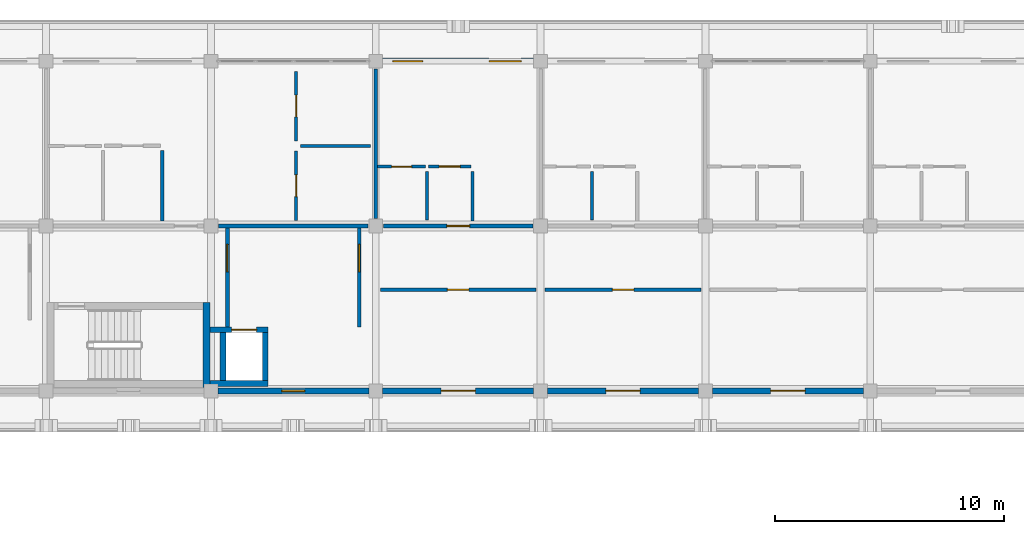
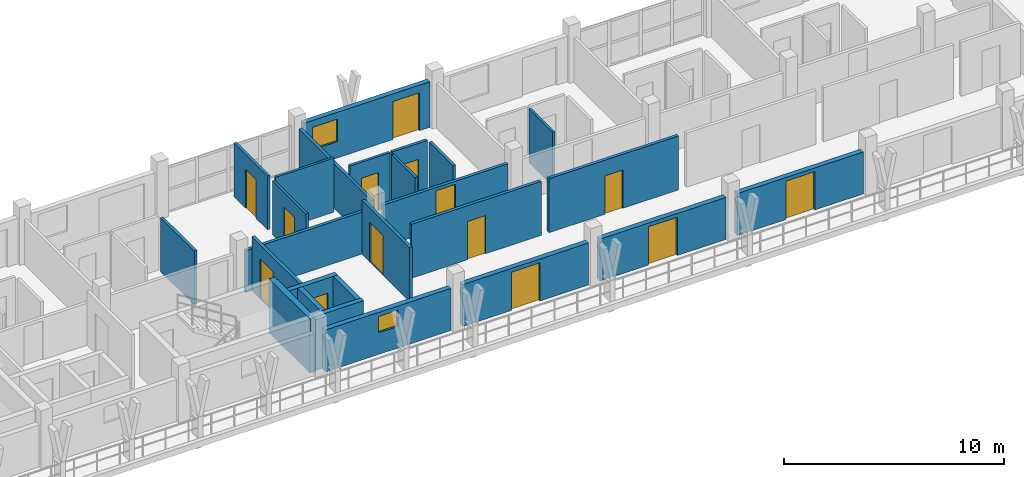
# One storey, part 41 of 67: 26 walls, 14 doors, 2 windows, 16 openings.
"""IFC4 building model written with IfcOpenShell, lengths in metres."""

from ifc_helpers import new_model, si_unit, direction, frame, frame_2d, origin, place, context, subcontext, project, spatial, rectangle, extrude, material, layer, layer_set, type_object, element, fill, save


model = new_model("IFC4")

# Units and contexts
model_context = context("Model", 3, precision=1e-05, world=origin(), true_north=direction((0.0, 1.0)))
body_context = subcontext(model_context, "Body", "Model", "MODEL_VIEW")
ifc_project = project(units=[si_unit("LENGTHUNIT", "METRE"), si_unit("AREAUNIT", "SQUARE_METRE"), si_unit("VOLUMEUNIT", "CUBIC_METRE"), si_unit("PLANEANGLEUNIT", "RADIAN"), si_unit("MASSUNIT", "GRAM", prefix="KILO")], contexts=[model_context])

# Site, building, storey
site_placement = place(None, origin())
site = spatial("IfcSite", under=ifc_project, at=site_placement, CompositionType="ELEMENT")
building_placement = place(site_placement, origin())
building = spatial("IfcBuilding", under=site, at=building_placement, Name="Suanplinth Sawtooth Commons", CompositionType="ELEMENT")
storey_placement = place(building_placement, frame((0.0, 0.0, 25.10009765625)))
storey = spatial("IfcBuildingStorey", under=building, at=storey_placement, Name="L07", CompositionType="ELEMENT", Elevation=25.10009765625)

# Wall
ifc_material_1 = material(Name="Concrete C40/50", Category="concrete")
ifc_layer_1 = layer(ifc_material_1, 0.300048828125, Name="Standard RC stair and lift core wall 300mm")
ifc_layer_set_1 = layer_set([ifc_layer_1], Name="Concrete C40/50")
wall_type_1 = type_object("IfcWallType", Name="W-CR02", PredefinedType="SHEAR", material=ifc_layer_set_1)
wall_1_placement = place(storey_placement, frame((64.60009765625, 108.14990234375, 0.0), z_axis=(0.0, 0.0, 1.0), x_axis=(0.0, 1.0, 0.0)))
element("IfcWall", 1, at=wall_1_placement, inside=storey, type_object=wall_type_1, Name="W-L07-C-A2-STE", PredefinedType="SHEAR", context=body_context, shape_type="SweptSolid", body=[
    extrude(rectangle(XDim=3.7001953125, YDim=0.300048828125, at=frame_2d((1.85009765625, 0.0))), origin(), (0.0, 0.0, 1.0), 2.989990234375),
])

# Wall, opening, window
ifc_material_2 = material(Name="Precast concrete C40/50", Category="concrete")
ifc_layer_2 = layer(ifc_material_2, 0.260009765625, Name="Insulated precast courtyard facade wall 260mm")
ifc_layer_set_2 = layer_set([ifc_layer_2], Name="Precast concrete C40/50")
wall_type_2 = type_object("IfcWallType", Name="W-EX02", PredefinedType="ELEMENTEDWALL", material=ifc_layer_set_2)
wall_2_placement = place(storey_placement, frame((65.10009765625, 108.0, 0.0), z_axis=(0.0, 0.0, 1.0), x_axis=(1.0, 0.0, 0.0)))
wall_2 = element("IfcWall", 2, at=wall_2_placement, inside=storey, type_object=wall_type_2, Name="Courtyard Wall W-L07-A-S-8", PredefinedType="ELEMENTEDWALL", context=body_context, shape_type="SweptSolid", body=[
    extrude(rectangle(XDim=6.599853515625, YDim=0.260009765625, at=frame_2d((3.2998046875, 0.0))), origin(), (0.0, 0.0, 1.0), 2.324951171875),
])
opening_1_placement = place(wall_2_placement, frame((2.800048828125, 0.0, 1.199951171875)))
opening_1 = element("IfcOpeningElement", 3, at=opening_1_placement, cuts=wall_2, Name="Opening W0646", PredefinedType="OPENING", context=body_context, shape_type="SweptSolid", body=[
    extrude(rectangle(XDim=1.0, YDim=0.89990234375, at=frame_2d((0.5, 0.449951171875))), frame((0.0, 0.14501953125, 0.0), z_axis=(0.0, -1.0, 0.0), x_axis=(1.0, 0.0, 0.0)), (0.0, 0.0, 1.0), 0.289794921875),
])
ifc_material_3 = material(Name="Thermally broken aluminium and low-E double glazing", Category="aluminium")
window_type_1 = type_object("IfcWindowType", Name="WN-12", PartitioningType="SINGLE_PANEL", PredefinedType="WINDOW", material=ifc_material_3)
window_1_placement = place(opening_1_placement, origin())
window_1 = element("IfcWindow", 4, at=window_1_placement, inside=storey, type_object=window_type_1, Name="Core Daylight Window L07-A-8", OverallHeight=0.89990234375, OverallWidth=1.0, PartitioningType="SINGLE_PANEL", PredefinedType="WINDOW", context=body_context, shape_type="SweptSolid", body=[
    extrude(rectangle(XDim=1.0, YDim=0.89990234375, at=frame_2d((0.5, 0.449951171875))), frame((0.0, 0.030029296875, 0.0), z_axis=(0.0, -1.0, 0.0), x_axis=(1.0, 0.0, 0.0)), (0.0, 0.0, 1.0), 0.06005859375),
])
fill(opening_1, window_1)

# Wall, openings, door, window
wall_3_placement = place(storey_placement, frame((72.300048828125, 122.39990234375, 0.0), z_axis=(0.0, 0.0, 1.0), x_axis=(1.0, 0.0, 0.0)))
wall_3 = element("IfcWall", 5, at=wall_3_placement, inside=storey, type_object=wall_type_2, Name="Facade Wall W-L07-A-N-9", PredefinedType="ELEMENTEDWALL", context=body_context, shape_type="SweptSolid", body=[
    extrude(rectangle(XDim=6.599853515625, YDim=0.260009765625, at=frame_2d((3.2998046875, 0.0))), origin(), (0.0, 0.0, 1.0), 2.52490234375),
])
opening_2_placement = place(wall_3_placement, frame((4.64990234375, 0.0, 0.0)))
opening_2 = element("IfcOpeningElement", 6, at=opening_2_placement, cuts=wall_3, Name="Opening ED0562", PredefinedType="OPENING", context=body_context, shape_type="SweptSolid", body=[
    extrude(rectangle(XDim=1.39990234375, YDim=2.10009765625, at=frame_2d((0.699951171875, 1.050048828125))), frame((0.0, 0.14501953125, 0.0), z_axis=(0.0, -1.0, 0.0), x_axis=(1.0, 0.0, 0.0)), (0.0, 0.0, 1.0), 0.289794921875),
])
opening_3_placement = place(wall_3_placement, frame((0.449951171875, 0.0, 0.89990234375)))
opening_3 = element("IfcOpeningElement", 7, at=opening_3_placement, cuts=wall_3, Name="Opening W0647", PredefinedType="OPENING", context=body_context, shape_type="SweptSolid", body=[
    extrude(rectangle(XDim=1.300048828125, YDim=1.25, at=frame_2d((0.64990234375, 0.625))), frame((0.0, 0.14501953125, 0.0), z_axis=(0.0, -1.0, 0.0), x_axis=(1.0, 0.0, 0.0)), (0.0, 0.0, 1.0), 0.289794921875),
])
ifc_material_4 = material(Name="Anodized aluminium and low-E glass", Category="aluminium")
door_type_1 = type_object("IfcDoorType", Name="SD-07", OperationType="SLIDING_TO_RIGHT", PredefinedType="DOOR", material=ifc_material_4)
door_1_placement = place(opening_2_placement, frame((1.39990234375, 0.0, 0.0), z_axis=(0.0, 0.0, 1.0), x_axis=(-1.0, 0.0, 0.0)))
door_1 = element("IfcDoor", 8, at=door_1_placement, inside=storey, type_object=door_type_1, Name="Balcony Sliding Door L07-A-N-9", OperationType="SLIDING_TO_RIGHT", OverallHeight=2.10009765625, OverallWidth=1.39990234375, PredefinedType="DOOR", context=body_context, shape_type="SweptSolid", body=[
    extrude(rectangle(XDim=1.39990234375, YDim=2.10009765625, at=frame_2d((0.699951171875, 1.050048828125))), frame((0.0, 0.02490234375, 0.0), z_axis=(0.0, -1.0, 0.0), x_axis=(1.0, 0.0, 0.0)), (0.0, 0.0, 1.0), 0.050048828125),
])
fill(opening_2, door_1)
window_type_2 = type_object("IfcWindowType", Name="WN-24", PartitioningType="SINGLE_PANEL", PredefinedType="WINDOW", material=ifc_material_3)
window_2_placement = place(opening_3_placement, origin())
window_2 = element("IfcWindow", 9, at=window_2_placement, inside=storey, type_object=window_type_2, Name="Window L07-A-N-9", OverallHeight=1.25, OverallWidth=1.300048828125, PartitioningType="SINGLE_PANEL", PredefinedType="WINDOW", context=body_context, shape_type="SweptSolid", body=[
    extrude(rectangle(XDim=1.300048828125, YDim=1.25, at=frame_2d((0.64990234375, 0.625))), frame((0.0, 0.030029296875, 0.0), z_axis=(0.0, -1.0, 0.0), x_axis=(1.0, 0.0, 0.0)), (0.0, 0.0, 1.0), 0.06005859375),
])
fill(opening_3, window_2)

# Wall, opening, door
wall_4_placement = place(storey_placement, frame((72.300048828125, 108.0, 0.0), z_axis=(0.0, 0.0, 1.0), x_axis=(1.0, 0.0, 0.0)))
wall_4 = element("IfcWall", 10, at=wall_4_placement, inside=storey, type_object=wall_type_2, Name="Courtyard Wall W-L07-A-S-9", PredefinedType="ELEMENTEDWALL", context=body_context, shape_type="SweptSolid", body=[
    extrude(rectangle(XDim=6.599853515625, YDim=0.260009765625, at=frame_2d((3.2998046875, 0.0))), origin(), (0.0, 0.0, 1.0), 2.324951171875),
])
opening_4_placement = place(wall_4_placement, frame((2.550048828125, 0.0, 0.0)))
opening_4 = element("IfcOpeningElement", 11, at=opening_4_placement, cuts=wall_4, Name="Opening ED0563", PredefinedType="OPENING", context=body_context, shape_type="SweptSolid", body=[
    extrude(rectangle(XDim=1.5, YDim=2.1201171875, at=frame_2d((0.75, 1.06005859375))), frame((0.0, 0.14501953125, 0.0), z_axis=(0.0, -1.0, 0.0), x_axis=(1.0, 0.0, 0.0)), (0.0, 0.0, 1.0), 0.289794921875),
])
door_type_2 = type_object("IfcDoorType", Name="SD-03", OperationType="SLIDING_TO_LEFT", PredefinedType="DOOR", material=ifc_material_4)
door_2_placement = place(opening_4_placement, frame((1.5, 0.0, 0.0), z_axis=(0.0, 0.0, 1.0), x_axis=(-1.0, 0.0, 0.0)))
door_2 = element("IfcDoor", 12, at=door_2_placement, inside=storey, type_object=door_type_2, Name="Courtyard Balcony Sliding Door L07-A-S-9", OperationType="SLIDING_TO_LEFT", OverallHeight=2.1201171875, OverallWidth=1.5, PredefinedType="DOOR", context=body_context, shape_type="SweptSolid", body=[
    extrude(rectangle(XDim=1.5, YDim=2.1201171875, at=frame_2d((0.75, 1.06005859375))), frame((0.0, 0.02490234375, 0.0), z_axis=(0.0, -1.0, 0.0), x_axis=(1.0, 0.0, 0.0)), (0.0, 0.0, 1.0), 0.050048828125),
])
fill(opening_4, door_2)

wall_5_placement = place(storey_placement, frame((79.5, 108.0, 0.0), z_axis=(0.0, 0.0, 1.0), x_axis=(1.0, 0.0, 0.0)))
wall_5 = element("IfcWall", 13, at=wall_5_placement, inside=storey, type_object=wall_type_2, Name="Courtyard Wall W-L07-A-S-10", PredefinedType="ELEMENTEDWALL", context=body_context, shape_type="SweptSolid", body=[
    extrude(rectangle(XDim=6.60009765625, YDim=0.260009765625, at=frame_2d((3.300048828125, 0.0))), origin(), (0.0, 0.0, 1.0), 2.324951171875),
])
opening_5_placement = place(wall_5_placement, frame((2.550048828125, 0.0, 0.0)))
opening_5 = element("IfcOpeningElement", 14, at=opening_5_placement, cuts=wall_5, Name="Opening ED0565", PredefinedType="OPENING", context=body_context, shape_type="SweptSolid", body=[
    extrude(rectangle(XDim=1.5, YDim=2.1201171875, at=frame_2d((0.75, 1.06005859375))), frame((0.0, 0.14501953125, 0.0), z_axis=(0.0, -1.0, 0.0), x_axis=(1.0, 0.0, 0.0)), (0.0, 0.0, 1.0), 0.289794921875),
])
door_3_placement = place(opening_5_placement, frame((1.5, 0.0, 0.0), z_axis=(0.0, 0.0, 1.0), x_axis=(-1.0, 0.0, 0.0)))
door_3 = element("IfcDoor", 15, at=door_3_placement, inside=storey, type_object=door_type_2, Name="Courtyard Balcony Sliding Door L07-A-S-10", OperationType="SLIDING_TO_LEFT", OverallHeight=2.1201171875, OverallWidth=1.5, PredefinedType="DOOR", context=body_context, shape_type="SweptSolid", body=[
    extrude(rectangle(XDim=1.5, YDim=2.1201171875, at=frame_2d((0.75, 1.06005859375))), frame((0.0, 0.02490234375, 0.0), z_axis=(0.0, -1.0, 0.0), x_axis=(1.0, 0.0, 0.0)), (0.0, 0.0, 1.0), 0.050048828125),
])
fill(opening_5, door_3)

wall_6_placement = place(storey_placement, frame((86.699951171875, 108.0, 0.0), z_axis=(0.0, 0.0, 1.0), x_axis=(1.0, 0.0, 0.0)))
wall_6 = element("IfcWall", 16, at=wall_6_placement, inside=storey, type_object=wall_type_2, Name="Courtyard Wall W-L07-A-S-11", PredefinedType="ELEMENTEDWALL", context=body_context, shape_type="SweptSolid", body=[
    extrude(rectangle(XDim=6.60009765625, YDim=0.260009765625, at=frame_2d((3.300048828125, 0.0))), origin(), (0.0, 0.0, 1.0), 2.324951171875),
])
opening_6_placement = place(wall_6_placement, frame((2.550048828125, 0.0, 0.0)))
opening_6 = element("IfcOpeningElement", 17, at=opening_6_placement, cuts=wall_6, Name="Opening ED0566", PredefinedType="OPENING", context=body_context, shape_type="SweptSolid", body=[
    extrude(rectangle(XDim=1.5, YDim=2.1201171875, at=frame_2d((0.75, 1.06005859375))), frame((0.0, 0.14501953125, 0.0), z_axis=(0.0, -1.0, 0.0), x_axis=(1.0, 0.0, 0.0)), (0.0, 0.0, 1.0), 0.289794921875),
])
door_4_placement = place(opening_6_placement, frame((1.5, 0.0, 0.0), z_axis=(0.0, 0.0, 1.0), x_axis=(-1.0, 0.0, 0.0)))
door_4 = element("IfcDoor", 18, at=door_4_placement, inside=storey, type_object=door_type_2, Name="Courtyard Balcony Sliding Door L07-A-S-11", OperationType="SLIDING_TO_LEFT", OverallHeight=2.1201171875, OverallWidth=1.5, PredefinedType="DOOR", context=body_context, shape_type="SweptSolid", body=[
    extrude(rectangle(XDim=1.5, YDim=2.1201171875, at=frame_2d((0.75, 1.06005859375))), frame((0.0, 0.02490234375, 0.0), z_axis=(0.0, -1.0, 0.0), x_axis=(1.0, 0.0, 0.0)), (0.0, 0.0, 1.0), 0.050048828125),
])
fill(opening_6, door_4)

ifc_layer_3 = layer(ifc_material_2, 0.159912109375, Name="Fire-rated corridor and lobby wall 160mm")
ifc_layer_set_3 = layer_set([ifc_layer_3], Name="Precast concrete C40/50")
wall_type_3 = type_object("IfcWallType", Name="W-FW01", PredefinedType="PARTITIONING", material=ifc_layer_set_3)
wall_7_placement = place(storey_placement, frame((65.52001953125, 110.800048828125, 0.0), z_axis=(0.0, 0.0, 1.0), x_axis=(0.0, 1.0, 0.0)))
wall_7 = element("IfcWall", 19, at=wall_7_placement, inside=storey, type_object=wall_type_3, Name="W-L07-C-A2-LOB-W", PredefinedType="PARTITIONING", context=body_context, shape_type="SweptSolid", body=[
    extrude(rectangle(XDim=4.320068359375, YDim=0.159912109375, at=frame_2d((2.16015625, 0.0))), origin(), (0.0, 0.0, 1.0), 2.989990234375),
])
opening_7_placement = place(wall_7_placement, frame((2.39990234375, 0.0, 0.0)))
opening_7 = element("IfcOpeningElement", 20, at=opening_7_placement, cuts=wall_7, Name="Opening FD0119", PredefinedType="OPENING", context=body_context, shape_type="SweptSolid", body=[
    extrude(rectangle(XDim=1.199951171875, YDim=2.199951171875, at=frame_2d((0.60009765625, 1.10009765625))), frame((0.0, 0.0947265625, 0.0), z_axis=(0.0, -1.0, 0.0), x_axis=(1.0, 0.0, 0.0)), (0.0, 0.0, 1.0), 0.189697265625),
])
ifc_material_5 = material(Name="Teak hardwood fire-rated door assembly", Category="wood")
door_type_3 = type_object("IfcDoorType", Name="FD-02", OperationType="NOTDEFINED", PredefinedType="DOOR", material=ifc_material_5)
door_5_placement = place(opening_7_placement, origin())
door_5 = element("IfcDoor", 21, at=door_5_placement, inside=storey, type_object=door_type_3, Name="Lobby Fire Door FD0119", OperationType="SINGLE_SWING_RIGHT", OverallHeight=2.199951171875, OverallWidth=1.199951171875, PredefinedType="DOOR", context=body_context, shape_type="SweptSolid", body=[
    extrude(rectangle(XDim=1.199951171875, YDim=2.199951171875, at=frame_2d((0.60009765625, 1.10009765625))), frame((0.0, 0.02490234375, 0.0), z_axis=(0.0, -1.0, 0.0), x_axis=(1.0, 0.0, 0.0)), (0.0, 0.0, 1.0), 0.050048828125),
])
fill(opening_7, door_5)

wall_8_placement = place(storey_placement, frame((71.280029296875, 110.800048828125, 0.0), z_axis=(0.0, 0.0, 1.0), x_axis=(0.0, 1.0, 0.0)))
wall_8 = element("IfcWall", 22, at=wall_8_placement, inside=storey, type_object=wall_type_3, Name="W-L07-C-A2-LOB-E", PredefinedType="PARTITIONING", context=body_context, shape_type="SweptSolid", body=[
    extrude(rectangle(XDim=4.320068359375, YDim=0.159912109375, at=frame_2d((2.16015625, 0.0))), origin(), (0.0, 0.0, 1.0), 2.989990234375),
])
opening_8_placement = place(wall_8_placement, frame((2.39990234375, 0.0, 0.0)))
opening_8 = element("IfcOpeningElement", 23, at=opening_8_placement, cuts=wall_8, Name="Opening FD0120", PredefinedType="OPENING", context=body_context, shape_type="SweptSolid", body=[
    extrude(rectangle(XDim=1.199951171875, YDim=2.199951171875, at=frame_2d((0.60009765625, 1.10009765625))), frame((0.0, 0.0947265625, 0.0), z_axis=(0.0, -1.0, 0.0), x_axis=(1.0, 0.0, 0.0)), (0.0, 0.0, 1.0), 0.189697265625),
])
door_6_placement = place(opening_8_placement, frame((1.199951171875, 0.0, 0.0), z_axis=(0.0, 0.0, 1.0), x_axis=(-1.0, 0.0, 0.0)))
door_6 = element("IfcDoor", 24, at=door_6_placement, inside=storey, type_object=door_type_3, Name="Lobby Fire Door FD0120", OperationType="SINGLE_SWING_LEFT", OverallHeight=2.199951171875, OverallWidth=1.199951171875, PredefinedType="DOOR", context=body_context, shape_type="SweptSolid", body=[
    extrude(rectangle(XDim=1.199951171875, YDim=2.199951171875, at=frame_2d((0.60009765625, 1.10009765625))), frame((0.0, 0.02490234375, 0.0), z_axis=(0.0, -1.0, 0.0), x_axis=(1.0, 0.0, 0.0)), (0.0, 0.0, 1.0), 0.050048828125),
])
fill(opening_8, door_6)

# Wall
wall_9_placement = place(storey_placement, frame((65.1298828125, 115.199951171875, 0.0), z_axis=(0.0, 0.0, 1.0), x_axis=(1.0, 0.0, 0.0)))
element("IfcWall", 25, at=wall_9_placement, inside=storey, type_object=wall_type_3, Name="W-A-L07-U06-COR-S2", PredefinedType="PARTITIONING", context=body_context, shape_type="SweptSolid", body=[
    extrude(rectangle(XDim=6.5400390625, YDim=0.159912109375, at=frame_2d((3.27001953125, 0.0))), origin(), (0.0, 0.0, 1.0), 2.324951171875),
])

# Wall, opening, door
wall_10_placement = place(storey_placement, frame((72.330078125, 115.199951171875, 0.0), z_axis=(0.0, 0.0, 1.0), x_axis=(1.0, 0.0, 0.0)))
wall_10 = element("IfcWall", 26, at=wall_10_placement, inside=storey, type_object=wall_type_3, Name="W-A-L07-U07-COR", PredefinedType="PARTITIONING", context=body_context, shape_type="SweptSolid", body=[
    extrude(rectangle(XDim=6.5400390625, YDim=0.159912109375, at=frame_2d((3.27001953125, 0.0))), origin(), (0.0, 0.0, 1.0), 2.324951171875),
])
opening_9_placement = place(wall_10_placement, frame((2.77001953125, 0.0, 0.0)))
opening_9 = element("IfcOpeningElement", 27, at=opening_9_placement, cuts=wall_10, Name="Opening FD1521", PredefinedType="OPENING", context=body_context, shape_type="SweptSolid", body=[
    extrude(rectangle(XDim=1.0, YDim=2.14990234375, at=frame_2d((0.5, 1.074951171875))), frame((0.0, 0.0947265625, 0.0), z_axis=(0.0, -1.0, 0.0), x_axis=(1.0, 0.0, 0.0)), (0.0, 0.0, 1.0), 0.189697265625),
])
door_type_4 = type_object("IfcDoorType", Name="FD-03", OperationType="NOTDEFINED", PredefinedType="DOOR", material=ifc_material_5)
door_7_placement = place(opening_9_placement, origin())
door_7 = element("IfcDoor", 28, at=door_7_placement, inside=storey, type_object=door_type_4, Name="Unit Entrance Door FD1521", OperationType="SINGLE_SWING_LEFT", OverallHeight=2.14990234375, OverallWidth=1.0, PredefinedType="DOOR", context=body_context, shape_type="SweptSolid", body=[
    extrude(rectangle(XDim=1.0, YDim=2.14990234375, at=frame_2d((0.5, 1.074951171875))), frame((0.0, 0.02490234375, 0.0), z_axis=(0.0, -1.0, 0.0), x_axis=(1.0, 0.0, 0.0)), (0.0, 0.0, 1.0), 0.050048828125),
])
fill(opening_9, door_7)

wall_11_placement = place(storey_placement, frame((72.199951171875, 112.419921875, 0.0), z_axis=(0.0, 0.0, 1.0), x_axis=(1.0, 0.0, 0.0)))
wall_11 = element("IfcWall", 29, at=wall_11_placement, inside=storey, type_object=wall_type_3, Name="W-A-L07-COURTROOM-15-COR", PredefinedType="PARTITIONING", context=body_context, shape_type="SweptSolid", body=[
    extrude(rectangle(XDim=6.800048828125, YDim=0.159912109375, at=frame_2d((3.39990234375, 0.0))), origin(), (0.0, 0.0, 1.0), 2.989990234375),
])
opening_10_placement = place(wall_11_placement, frame((2.929931640625, 0.0, 0.0)))
opening_10 = element("IfcOpeningElement", 30, at=opening_10_placement, cuts=wall_11, Name="Opening D1538", PredefinedType="OPENING", context=body_context, shape_type="SweptSolid", body=[
    extrude(rectangle(XDim=0.93994140625, YDim=2.1201171875, at=frame_2d((0.469970703125, 1.06005859375))), frame((0.0, 0.0947265625, 0.0), z_axis=(0.0, -1.0, 0.0), x_axis=(1.0, 0.0, 0.0)), (0.0, 0.0, 1.0), 0.189697265625),
])
ifc_material_6 = material(Name="Teak hardwood", Category="wood")
door_type_5 = type_object("IfcDoorType", Name="D-15", OperationType="NOTDEFINED", PredefinedType="DOOR", material=ifc_material_6)
door_8_placement = place(opening_10_placement, frame((0.93994140625, 0.0, 0.0), z_axis=(0.0, 0.0, 1.0), x_axis=(-1.0, 0.0, 0.0)))
door_8 = element("IfcDoor", 31, at=door_8_placement, inside=storey, type_object=door_type_5, Name="Study Studio Door D1538", OperationType="SINGLE_SWING_RIGHT", OverallHeight=2.1201171875, OverallWidth=0.93994140625, PredefinedType="DOOR", context=body_context, shape_type="SweptSolid", body=[
    extrude(rectangle(XDim=0.93994140625, YDim=2.1201171875, at=frame_2d((0.469970703125, 1.06005859375))), frame((0.0, 0.02490234375, 0.0), z_axis=(0.0, -1.0, 0.0), x_axis=(1.0, 0.0, 0.0)), (0.0, 0.0, 1.0), 0.050048828125),
])
fill(opening_10, door_8)

wall_12_placement = place(storey_placement, frame((79.39990234375, 112.419921875, 0.0), z_axis=(0.0, 0.0, 1.0), x_axis=(1.0, 0.0, 0.0)))
wall_12 = element("IfcWall", 32, at=wall_12_placement, inside=storey, type_object=wall_type_3, Name="W-A-L07-COURTROOM-16-COR", PredefinedType="PARTITIONING", context=body_context, shape_type="SweptSolid", body=[
    extrude(rectangle(XDim=6.800048828125, YDim=0.159912109375, at=frame_2d((3.39990234375, 0.0))), origin(), (0.0, 0.0, 1.0), 2.989990234375),
])
opening_11_placement = place(wall_12_placement, frame((2.929931640625, 0.0, 0.0)))
opening_11 = element("IfcOpeningElement", 33, at=opening_11_placement, cuts=wall_12, Name="Opening D1539", PredefinedType="OPENING", context=body_context, shape_type="SweptSolid", body=[
    extrude(rectangle(XDim=0.93994140625, YDim=2.1201171875, at=frame_2d((0.469970703125, 1.06005859375))), frame((0.0, 0.0947265625, 0.0), z_axis=(0.0, -1.0, 0.0), x_axis=(1.0, 0.0, 0.0)), (0.0, 0.0, 1.0), 0.189697265625),
])
door_9_placement = place(opening_11_placement, frame((0.93994140625, 0.0, 0.0), z_axis=(0.0, 0.0, 1.0), x_axis=(-1.0, 0.0, 0.0)))
door_9 = element("IfcDoor", 34, at=door_9_placement, inside=storey, type_object=door_type_5, Name="Study Studio Door D1539", OperationType="SINGLE_SWING_LEFT", OverallHeight=2.1201171875, OverallWidth=0.93994140625, PredefinedType="DOOR", context=body_context, shape_type="SweptSolid", body=[
    extrude(rectangle(XDim=0.93994140625, YDim=2.1201171875, at=frame_2d((0.469970703125, 1.06005859375))), frame((0.0, 0.02490234375, 0.0), z_axis=(0.0, -1.0, 0.0), x_axis=(1.0, 0.0, 0.0)), (0.0, 0.0, 1.0), 0.050048828125),
])
fill(opening_11, door_9)

# Walls
ifc_layer_4 = layer(ifc_material_2, 0.14990234375, Name="Acoustic precast party demising wall 150mm")
ifc_layer_set_4 = layer_set([ifc_layer_4], Name="Precast concrete C40/50")
wall_type_4 = type_object("IfcWallType", Name="W-FW02", PredefinedType="PARTITIONING", material=ifc_layer_set_4)
wall_13_placement = place(storey_placement, frame((72.0, 115.530029296875, 0.0), z_axis=(0.0, 0.0, 1.0), x_axis=(0.0, 1.0, 0.0)))
element("IfcWall", 35, at=wall_13_placement, inside=storey, type_object=wall_type_4, Name="W-A-L07-U06-PTY", PredefinedType="PARTITIONING", context=body_context, shape_type="SweptSolid", body=[
    extrude(rectangle(XDim=6.5400390625, YDim=0.14990234375, at=frame_2d((3.27001953125, 0.0))), origin(), (0.0, 0.0, 1.0), 2.474853515625),
])
ifc_material_7 = material(Name="Gypsum plasterboard on steel stud", Category="steel")
ifc_layer_5 = layer(ifc_material_7, 0.139892578125, Name="Fire-rated kitchen partition 140mm")
ifc_layer_set_5 = layer_set([ifc_layer_5], Name="Gypsum plasterboard on steel stud")
wall_type_5 = type_object("IfcWallType", Name="W-PT01", PredefinedType="PARTITIONING", material=ifc_layer_set_5)
wall_14_placement = place(storey_placement, frame((62.669921875, 115.429931640625, 0.0), z_axis=(0.0, 0.0, 1.0), x_axis=(0.0, 1.0, 0.0)))
element("IfcWall", 36, at=wall_14_placement, inside=storey, type_object=wall_type_5, Name="W-A-L07-U06-KIT2", PredefinedType="PARTITIONING", context=body_context, shape_type="SweptSolid", body=[
    extrude(rectangle(XDim=3.06005859375, YDim=0.139892578125, at=frame_2d((1.530029296875, 0.0))), origin(), (0.0, 0.0, 1.0), 2.989990234375),
])

# Wall, opening, door
wall_15_placement = place(storey_placement, frame((74.300048828125, 117.800048828125, 0.0), z_axis=(0.0, 0.0, 1.0), x_axis=(1.0, 0.0, 0.0)))
wall_15 = element("IfcWall", 37, at=wall_15_placement, inside=storey, type_object=wall_type_5, Name="W-A-L07-U07-KIT1", PredefinedType="PARTITIONING", context=body_context, shape_type="SweptSolid", body=[
    extrude(rectangle(XDim=1.849853515625, YDim=0.139892578125, at=frame_2d((0.9248046875, 0.0))), origin(), (0.0, 0.0, 1.0), 2.989990234375),
])
opening_12_placement = place(wall_15_placement, frame((0.465087890625, 0.0, 0.0)))
opening_12 = element("IfcOpeningElement", 38, at=opening_12_placement, cuts=wall_15, Name="Opening D1523", PredefinedType="OPENING", context=body_context, shape_type="SweptSolid", body=[
    extrude(rectangle(XDim=0.919921875, YDim=2.10009765625, at=frame_2d((0.4599609375, 1.050048828125))), frame((0.0, 0.0849609375, 0.0), z_axis=(0.0, -1.0, 0.0), x_axis=(1.0, 0.0, 0.0)), (0.0, 0.0, 1.0), 0.169677734375),
])
door_type_6 = type_object("IfcDoorType", Name="D-02", OperationType="NOTDEFINED", PredefinedType="DOOR", material=ifc_material_6)
door_10_placement = place(opening_12_placement, frame((0.919921875, 0.0, 0.0), z_axis=(0.0, 0.0, 1.0), x_axis=(-1.0, 0.0, 0.0)))
door_10 = element("IfcDoor", 39, at=door_10_placement, inside=storey, type_object=door_type_6, Name="Kitchen Door D1523", OperationType="SINGLE_SWING_LEFT", OverallHeight=2.10009765625, OverallWidth=0.919921875, PredefinedType="DOOR", context=body_context, shape_type="SweptSolid", body=[
    extrude(rectangle(XDim=0.919921875, YDim=2.10009765625, at=frame_2d((0.4599609375, 1.050048828125))), frame((0.0, 0.02490234375, 0.0), z_axis=(0.0, -1.0, 0.0), x_axis=(1.0, 0.0, 0.0)), (0.0, 0.0, 1.0), 0.050048828125),
])
fill(opening_12, door_10)

# Wall
wall_16_placement = place(storey_placement, frame((76.219970703125, 115.429931640625, 0.0), z_axis=(0.0, 0.0, 1.0), x_axis=(0.0, 1.0, 0.0)))
element("IfcWall", 40, at=wall_16_placement, inside=storey, type_object=wall_type_5, Name="W-A-L07-U07-KIT2", PredefinedType="PARTITIONING", context=body_context, shape_type="SweptSolid", body=[
    extrude(rectangle(XDim=2.150146484375, YDim=0.139892578125, at=frame_2d((1.0751953125, 0.0))), origin(), (0.0, 0.0, 1.0), 2.989990234375),
])

# Wall, opening, door
ifc_layer_6 = layer(ifc_material_7, 0.1298828125, Name="Moisture-resistant bathroom partition 130mm")
ifc_layer_set_6 = layer_set([ifc_layer_6], Name="Gypsum plasterboard on steel stud")
wall_type_6 = type_object("IfcWallType", Name="W-PT02", PredefinedType="PARTITIONING", material=ifc_layer_set_6)
wall_17_placement = place(storey_placement, frame((72.080078125, 117.794921875, 0.0), z_axis=(0.0, 0.0, 1.0), x_axis=(1.0, 0.0, 0.0)))
wall_17 = element("IfcWall", 41, at=wall_17_placement, inside=storey, type_object=wall_type_6, Name="W-A-L07-U07-BTH1", PredefinedType="PARTITIONING", context=body_context, shape_type="SweptSolid", body=[
    extrude(rectangle(XDim=2.099853515625, YDim=0.1298828125, at=frame_2d((1.0498046875, 0.0))), origin(), (0.0, 0.0, 1.0), 2.989990234375),
])
opening_13_placement = place(wall_17_placement, frame((0.610107421875, 0.0, 0.0)))
opening_13 = element("IfcOpeningElement", 42, at=opening_13_placement, cuts=wall_17, Name="Opening D1522", PredefinedType="OPENING", context=body_context, shape_type="SweptSolid", body=[
    extrude(rectangle(XDim=0.8798828125, YDim=2.10009765625, at=frame_2d((0.43994140625, 1.050048828125))), frame((0.0, 0.079833984375, 0.0), z_axis=(0.0, -1.0, 0.0), x_axis=(1.0, 0.0, 0.0)), (0.0, 0.0, 1.0), 0.15966796875),
])
door_type_7 = type_object("IfcDoorType", Name="D-14", OperationType="NOTDEFINED", PredefinedType="DOOR", material=ifc_material_6)
door_11_placement = place(opening_13_placement, frame((0.8798828125, 0.0, 0.0), z_axis=(0.0, 0.0, 1.0), x_axis=(-1.0, 0.0, 0.0)))
door_11 = element("IfcDoor", 43, at=door_11_placement, inside=storey, type_object=door_type_7, Name="Bathroom Door D1522", OperationType="SINGLE_SWING_RIGHT", OverallHeight=2.10009765625, OverallWidth=0.8798828125, PredefinedType="DOOR", context=body_context, shape_type="SweptSolid", body=[
    extrude(rectangle(XDim=0.8798828125, YDim=2.10009765625, at=frame_2d((0.43994140625, 1.050048828125))), frame((0.0, 0.02490234375, 0.0), z_axis=(0.0, -1.0, 0.0), x_axis=(1.0, 0.0, 0.0)), (0.0, 0.0, 1.0), 0.050048828125),
])
fill(opening_13, door_11)

# Walls
for number, where, z_axis, x_axis, name in (
    (44, (74.2451171875, 115.4599609375, 0.0), (0.0, 0.0, 1.0), (0.0, 1.0, 0.0), "W-A-L07-U07-BTH2"),
    (45, (81.445068359375, 115.4599609375, 0.0), (0.0, 0.0, 1.0), (0.0, 1.0, 0.0), "W-A-L07-U08-BTH2"),
):
    element("IfcWall", number, at=place(storey_placement, frame(where, z_axis=z_axis, x_axis=x_axis)), inside=storey, type_object=wall_type_6, Name=name, PredefinedType="PARTITIONING", context=body_context, shape_type="SweptSolid", body=[
        extrude(rectangle(XDim=2.130126953125, YDim=0.1298828125, at=frame_2d((1.06494140625, 0.0))), origin(), (0.0, 0.0, 1.0), 2.989990234375),
    ])

# Wall, opening, door
ifc_layer_7 = layer(ifc_material_7, 0.1201171875, Name="Acoustic bedroom partition 120mm")
ifc_layer_set_7 = layer_set([ifc_layer_7], Name="Gypsum plasterboard on steel stud")
wall_type_7 = type_object("IfcWallType", Name="W-PT03", PredefinedType="PARTITIONING", material=ifc_layer_set_7)
wall_18_placement = place(storey_placement, frame((68.52001953125, 115.43994140625, 0.0), z_axis=(0.0, 0.0, 1.0), x_axis=(0.0, 1.0, 0.0)))
wall_18 = element("IfcWall", 46, at=wall_18_placement, inside=storey, type_object=wall_type_7, Name="W-A-L07-U06-BED2", PredefinedType="PARTITIONING", context=body_context, shape_type="SweptSolid", body=[
    extrude(rectangle(XDim=3.0400390625, YDim=0.1201171875, at=frame_2d((1.52001953125, 0.0))), origin(), (0.0, 0.0, 1.0), 2.989990234375),
])
opening_14_placement = place(wall_18_placement, frame((1.0400390625, 0.0, 0.0)))
opening_14 = element("IfcOpeningElement", 47, at=opening_14_placement, cuts=wall_18, Name="Opening D1520", PredefinedType="OPENING", context=body_context, shape_type="SweptSolid", body=[
    extrude(rectangle(XDim=0.9599609375, YDim=2.14990234375, at=frame_2d((0.47998046875, 1.074951171875))), frame((0.0, 0.074951171875, 0.0), z_axis=(0.0, -1.0, 0.0), x_axis=(1.0, 0.0, 0.0)), (0.0, 0.0, 1.0), 0.14990234375),
])
door_type_8 = type_object("IfcDoorType", Name="D-13", OperationType="NOTDEFINED", PredefinedType="DOOR", material=ifc_material_6)
door_12_placement = place(opening_14_placement, frame((0.9599609375, 0.0, 0.0), z_axis=(0.0, 0.0, 1.0), x_axis=(-1.0, 0.0, 0.0)))
door_12 = element("IfcDoor", 48, at=door_12_placement, inside=storey, type_object=door_type_8, Name="Second Bedroom Door D1520", OperationType="SINGLE_SWING_RIGHT", OverallHeight=2.14990234375, OverallWidth=0.9599609375, PredefinedType="DOOR", context=body_context, shape_type="SweptSolid", body=[
    extrude(rectangle(XDim=0.9599609375, YDim=2.14990234375, at=frame_2d((0.47998046875, 1.074951171875))), frame((0.0, 0.02490234375, 0.0), z_axis=(0.0, -1.0, 0.0), x_axis=(1.0, 0.0, 0.0)), (0.0, 0.0, 1.0), 0.050048828125),
])
fill(opening_14, door_12)

# Wall
ifc_layer_8 = layer(ifc_material_7, 0.125, Name="Acoustic study partition 125mm")
ifc_layer_set_8 = layer_set([ifc_layer_8], Name="Gypsum plasterboard on steel stud")
wall_type_8 = type_object("IfcWallType", Name="W-PT06", PredefinedType="PARTITIONING", material=ifc_layer_set_8)
wall_19_placement = place(storey_placement, frame((68.719970703125, 118.699951171875, 0.0), z_axis=(0.0, 0.0, 1.0), x_axis=(1.0, 0.0, 0.0)))
element("IfcWall", 49, at=wall_19_placement, inside=storey, type_object=wall_type_8, Name="W-A-L07-U06-BEDDIV", PredefinedType="PARTITIONING", context=body_context, shape_type="SweptSolid", body=[
    extrude(rectangle(XDim=3.06005859375, YDim=0.125, at=frame_2d((1.530029296875, 0.0))), origin(), (0.0, 0.0, 1.0), 2.989990234375),
])

# Wall, opening, door
ifc_layer_9 = layer(ifc_material_7, 0.135009765625, Name="Insulated bedroom demising partition 135mm")
ifc_layer_set_9 = layer_set([ifc_layer_9], Name="Gypsum plasterboard on steel stud")
wall_type_9 = type_object("IfcWallType", Name="W-PT07", PredefinedType="PARTITIONING", material=ifc_layer_set_9)
wall_20_placement = place(storey_placement, frame((68.52001953125, 118.919921875, 0.0), z_axis=(0.0, 0.0, 1.0), x_axis=(0.0, 1.0, 0.0)))
wall_20 = element("IfcWall", 50, at=wall_20_placement, inside=storey, type_object=wall_type_9, Name="W-A-L07-U06-BED1", PredefinedType="PARTITIONING", context=body_context, shape_type="SweptSolid", body=[
    extrude(rectangle(XDim=3.0400390625, YDim=0.135009765625, at=frame_2d((1.52001953125, 0.0))), origin(), (0.0, 0.0, 1.0), 2.989990234375),
])
opening_15_placement = place(wall_20_placement, frame((1.044921875, 0.0, 0.0)))
opening_15 = element("IfcOpeningElement", 51, at=opening_15_placement, cuts=wall_20, Name="Opening D1519", PredefinedType="OPENING", context=body_context, shape_type="SweptSolid", body=[
    extrude(rectangle(XDim=0.949951171875, YDim=2.14990234375, at=frame_2d((0.47509765625, 1.074951171875))), frame((0.0, 0.08251953125, 0.0), z_axis=(0.0, -1.0, 0.0), x_axis=(1.0, 0.0, 0.0)), (0.0, 0.0, 1.0), 0.164794921875),
])
door_type_9 = type_object("IfcDoorType", Name="D-03", OperationType="NOTDEFINED", PredefinedType="DOOR", material=ifc_material_6)
door_13_placement = place(opening_15_placement, frame((0.949951171875, 0.0, 0.0), z_axis=(0.0, 0.0, 1.0), x_axis=(-1.0, 0.0, 0.0)))
door_13 = element("IfcDoor", 52, at=door_13_placement, inside=storey, type_object=door_type_9, Name="Bedroom Door D1519", OperationType="SINGLE_SWING_LEFT", OverallHeight=2.14990234375, OverallWidth=0.949951171875, PredefinedType="DOOR", context=body_context, shape_type="SweptSolid", body=[
    extrude(rectangle(XDim=0.949951171875, YDim=2.14990234375, at=frame_2d((0.47509765625, 1.074951171875))), frame((0.0, 0.02490234375, 0.0), z_axis=(0.0, -1.0, 0.0), x_axis=(1.0, 0.0, 0.0)), (0.0, 0.0, 1.0), 0.050048828125),
])
fill(opening_15, door_13)

# Wall
ifc_layer_10 = layer(ifc_material_2, 0.25, Name="Precast structural shear wall 250mm")
ifc_layer_set_10 = layer_set([ifc_layer_10], Name="Precast concrete C40/50")
wall_type_10 = type_object("IfcWallType", Name="W-SH01", PredefinedType="SHEAR", material=ifc_layer_set_10)
wall_21_placement = place(storey_placement, frame((64.75, 108.324951171875, 0.0), z_axis=(0.0, 0.0, 1.0), x_axis=(1.0, 0.0, 0.0)))
element("IfcWall", 53, at=wall_21_placement, inside=storey, type_object=wall_type_10, Name="W-L07-LF2-S", PredefinedType="SHEAR", context=body_context, shape_type="SweptSolid", body=[
    extrude(rectangle(XDim=2.550048828125, YDim=0.25, at=frame_2d((1.27490234375, 0.0))), origin(), (0.0, 0.0, 1.0), 2.989990234375),
])

# Wall, opening, door
wall_22_placement = place(storey_placement, frame((64.75, 110.675048828125, 0.0), z_axis=(0.0, 0.0, 1.0), x_axis=(1.0, 0.0, 0.0)))
wall_22 = element("IfcWall", 54, at=wall_22_placement, inside=storey, type_object=wall_type_10, Name="W-L07-LF2-N", PredefinedType="SHEAR", context=body_context, shape_type="SweptSolid", body=[
    extrude(rectangle(XDim=2.550048828125, YDim=0.25, at=frame_2d((1.27490234375, 0.0))), origin(), (0.0, 0.0, 1.0), 2.989990234375),
])
opening_16_placement = place(wall_22_placement, frame((0.949951171875, 0.0, 0.0)))
opening_16 = element("IfcOpeningElement", 55, at=opening_16_placement, cuts=wall_22, Name="Opening LD0121", PredefinedType="OPENING", context=body_context, shape_type="SweptSolid", body=[
    extrude(rectangle(XDim=1.10009765625, YDim=2.14990234375, at=frame_2d((0.550048828125, 1.074951171875))), frame((0.0, 0.139892578125, 0.0), z_axis=(0.0, -1.0, 0.0), x_axis=(1.0, 0.0, 0.0)), (0.0, 0.0, 1.0), 0.27978515625),
])
ifc_material_8 = material(Name="Stainless steel Grade 304", Category="steel")
door_type_10 = type_object("IfcDoorType", Name="LD-01", OperationType="SLIDING_TO_LEFT", PredefinedType="DOOR", material=ifc_material_8)
door_14_placement = place(opening_16_placement, origin())
door_14 = element("IfcDoor", 56, at=door_14_placement, inside=storey, type_object=door_type_10, Name="Lift Landing Sliding Door LF2 L07", OperationType="SLIDING_TO_LEFT", OverallHeight=2.14990234375, OverallWidth=1.10009765625, PredefinedType="DOOR", context=body_context, shape_type="SweptSolid", body=[
    extrude(rectangle(XDim=1.10009765625, YDim=2.14990234375, at=frame_2d((0.550048828125, 1.074951171875))), frame((0.0, 0.02490234375, 0.0), z_axis=(0.0, -1.0, 0.0), x_axis=(1.0, 0.0, 0.0)), (0.0, 0.0, 1.0), 0.050048828125),
])
fill(opening_16, door_14)

# Walls
for number, where, z_axis, x_axis, name in (
    (57, (65.324951171875, 108.449951171875, 0.0), (0.0, 0.0, 1.0), (0.0, 1.0, 0.0), "W-L07-LF2-W"),
    (58, (67.175048828125, 108.449951171875, 0.0), (0.0, 0.0, 1.0), (0.0, 1.0, 0.0), "W-L07-LF2-E"),
):
    element("IfcWall", number, at=place(storey_placement, frame(where, z_axis=z_axis, x_axis=x_axis)), inside=storey, type_object=wall_type_10, Name=name, PredefinedType="SHEAR", context=body_context, shape_type="SweptSolid", body=[
        extrude(rectangle(XDim=2.10009765625, YDim=0.25, at=frame_2d((1.050048828125, 0.0))), origin(), (0.0, 0.0, 1.0), 2.989990234375),
    ])

save(model, "model.ifc")
